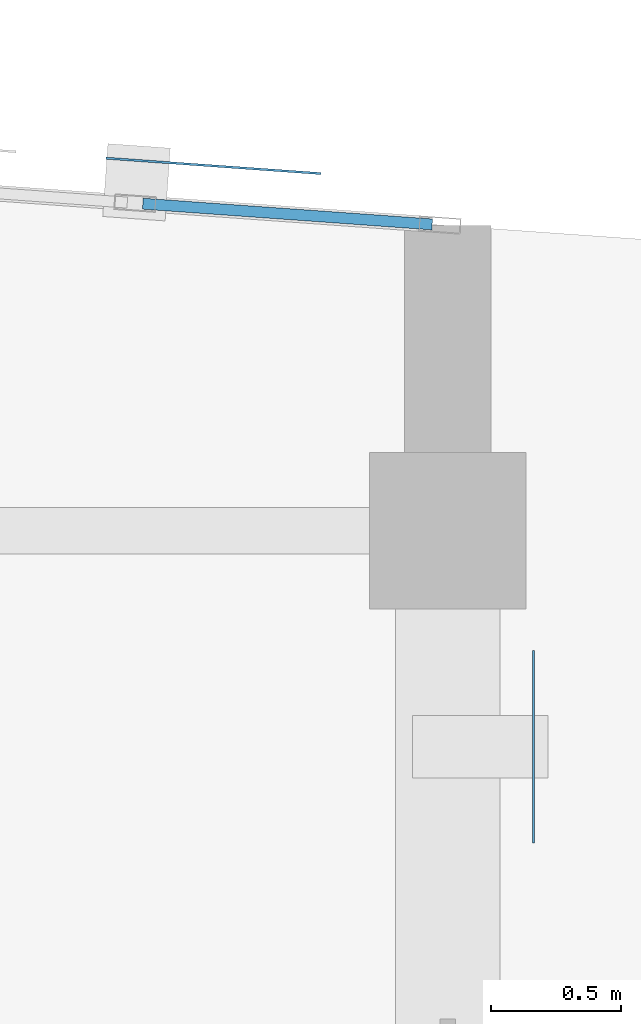
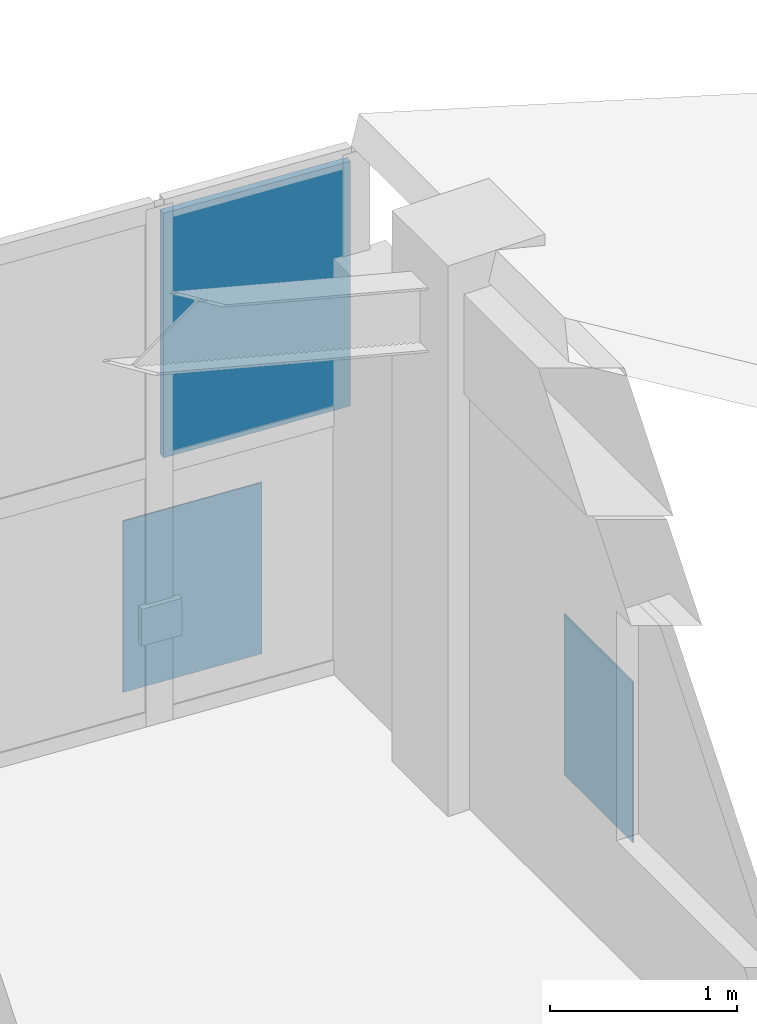
# One storey, part 29 of 41: 3 plates, 1 element without a shape of its own.
"""IFC4 building model written with IfcOpenShell, lengths in metres."""

from ifc_helpers import new_model, si_unit, direction, frame, origin, origin_2d, place, context, subcontext, project, spatial, rectangle, extrude, material, layer, layer_set, type_object, element, aggregate, save


model = new_model("IFC4")

# Units and contexts
model_context = context("Model", 3, precision=1e-05, world=origin(), true_north=direction((0.0, 1.0)))
body_context = subcontext(model_context, "Body", "Model", "MODEL_VIEW")
ifc_project = project(units=[si_unit("LENGTHUNIT", "METRE"), si_unit("AREAUNIT", "SQUARE_METRE"), si_unit("VOLUMEUNIT", "CUBIC_METRE"), si_unit("PLANEANGLEUNIT", "RADIAN"), si_unit("MASSUNIT", "GRAM", prefix="KILO")], contexts=[model_context])

# Site, building, storey
site_placement = place(None, origin())
site = spatial("IfcSite", under=ifc_project, at=site_placement, CompositionType="ELEMENT")
building_placement = place(site_placement, origin())
building = spatial("IfcBuilding", under=site, at=building_placement, Name="Carrowvane Square Congress Hotel", CompositionType="ELEMENT")
storey_placement = place(building_placement, frame((0.0, 0.0, 37.199951171875)))
storey = spatial("IfcBuildingStorey", under=building, at=storey_placement, Name="L09", CompositionType="ELEMENT", Elevation=37.199951171875)

# Curtain wall, plate
ifc_material_1 = material(Name="Anodised aluminium", Category="aluminium")
ifc_layer_1 = layer(ifc_material_1, 0.2099609375)
ifc_layer_set_1 = layer_set([ifc_layer_1], Name="Anodised aluminium")
curtain_wall_type = type_object("IfcCurtainWallType", Name="CW-SYS-5", PredefinedType="NOTDEFINED", material=ifc_layer_set_1)
curtain_wall_placement = place(storey_placement, origin())
curtain_wall = element("IfcCurtainWall", 1, at=curtain_wall_placement, inside=storey, type_object=curtain_wall_type, Name="L09 unitised curtain wall 548", PredefinedType="NOTDEFINED")
ifc_material_2 = material(Name="Double-glazed low-E glass", Category="glass")
ifc_layer_2 = layer(ifc_material_2, 0.0419921875)
ifc_layer_set_2 = layer_set([ifc_layer_2], Name="Double-glazed low-E glass")
plate_type_1 = type_object("IfcPlateType", Name="CW-PAN-4", PredefinedType="CURTAIN_PANEL", material=ifc_layer_set_2)
plate_1_placement = place(storey_placement, frame((140.5849609375, 114.615234375, 1.719970703125), z_axis=(0.0, 0.0, 1.0), x_axis=(0.997446152826, -0.071422490945, 0.0)))
plate_1 = element("IfcPlate", 2, at=plate_1_placement, type_object=plate_type_1, Name="CW-5 panel 2.2", PredefinedType="CURTAIN_PANEL", context=body_context, shape_type="SweptSolid", body=[
    extrude(rectangle(XDim=1.113037109375, YDim=0.0419921875, at=origin_2d()), origin(), (0.0, 0.0, 1.0), 1.60009765625),
])
aggregate(curtain_wall, [plate_1])

# Plates
ifc_material_3 = material(Name="Champagne-gold anodised aluminium", Category="aluminium")
ifc_layer_3 = layer(ifc_material_3, 0.008056640625)
ifc_layer_set_3 = layer_set([ifc_layer_3], Name="Champagne-gold anodised aluminium")
plate_type_2 = type_object("IfcPlateType", Name="PLT-PIX-GOLD8", PredefinedType="SHEET", material=ifc_layer_set_3)
plate_2_placement = place(storey_placement, frame((140.30078125, 114.800048828125, 0.119873046875), z_axis=(0.0, 0.0, 1.0), x_axis=(0.997446326449, -0.071420066188, 0.0)))
element("IfcPlate", 3, at=plate_2_placement, inside=storey, type_object=plate_type_2, Name="Champagne-gold pixel screen plate 910", PredefinedType="SHEET", context=body_context, shape_type="SweptSolid", body=[
    extrude(rectangle(XDim=0.827880859375, YDim=0.008056640625, at=origin_2d()), origin(), (0.0, 0.0, 1.0), 1.1201171875),
])
plate_3_placement = place(storey_placement, frame((141.529052734375, 112.5712890625, 0.15478515625), z_axis=(0.0, 0.0, 1.0), x_axis=(0.0, -1.0, 0.0)))
element("IfcPlate", 4, at=plate_3_placement, inside=storey, type_object=plate_type_2, Name="Champagne-gold pixel screen plate S-911", PredefinedType="SHEET", context=body_context, shape_type="SweptSolid", body=[
    extrude(rectangle(XDim=0.738037109375, YDim=0.008056640625, at=origin_2d()), origin(), (0.0, 0.0, 1.0), 1.050048828125),
])

save(model, "model.ifc")
